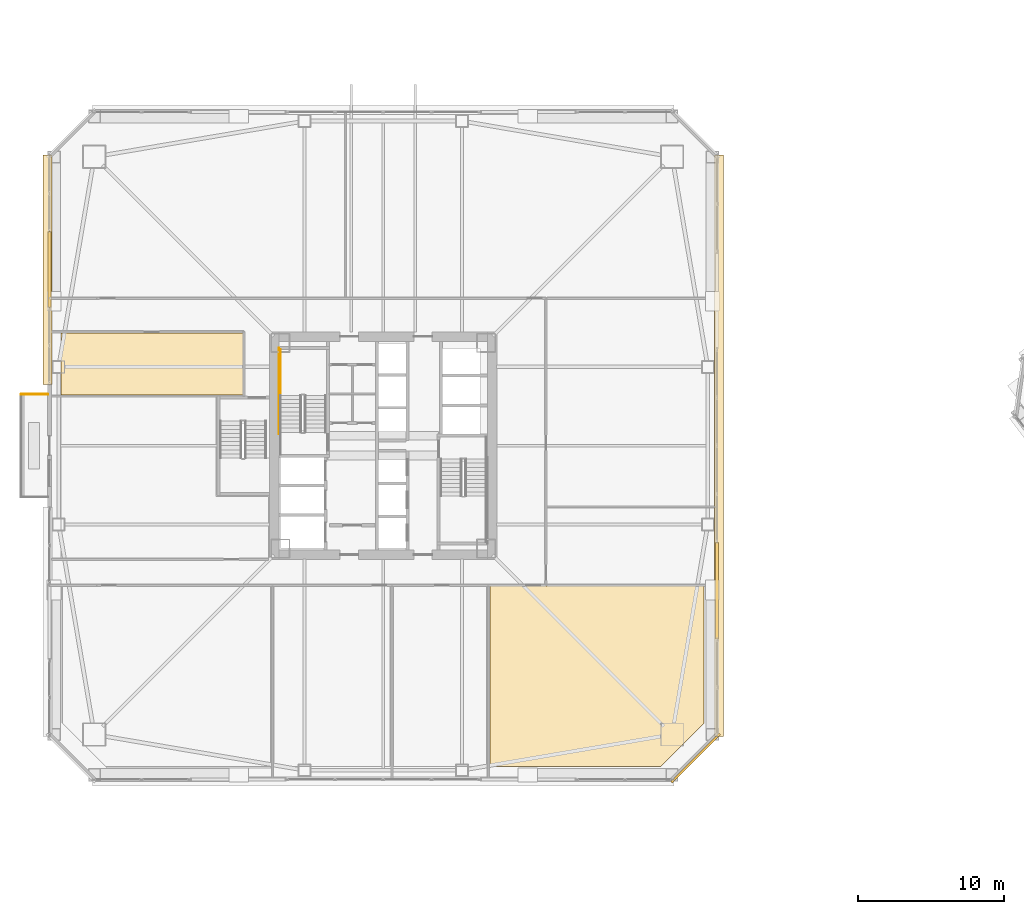
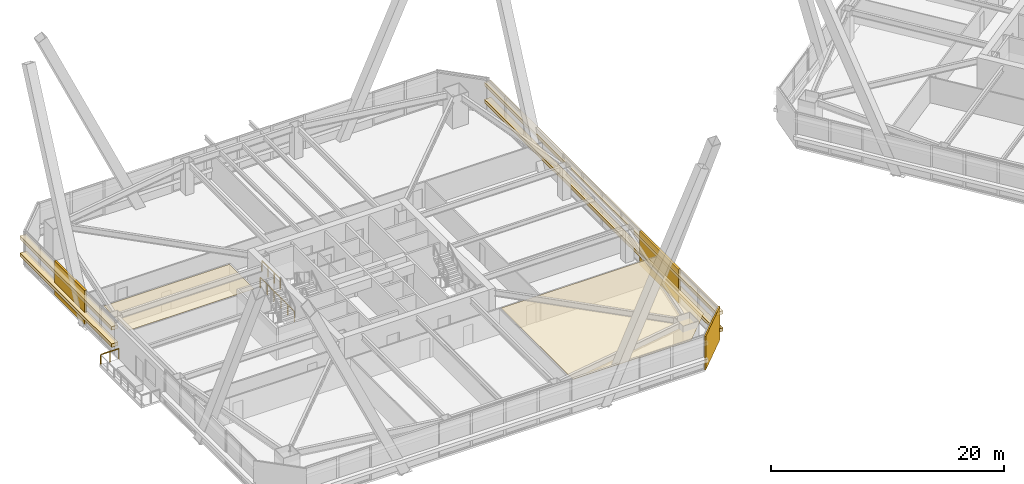
# One storey, part 69 of 75: 9 coverings, 3 railings.
"""IFC4 building model written with IfcOpenShell, lengths in metres."""

import ifcopenshell
import ifcopenshell.guid

model = None  # the IFC model being written
_history = None  # IfcOwnerHistory: only IFC2X3 demands one
_inside = {}  # id of a spatial element -> (the spatial element, [elements in it])
_under = {}  # id of a project, library or spatial element -> (it, [spatial elements below it])
_declared = {}  # id of a project -> (the project, [libraries it declares])
_typed = {}  # id of a type object -> (the type object, [elements of that type])
_made_of = {}  # id of a material, layer set ... -> (it, [elements and type objects made of it])


def new_model(schema):
    """Start an empty IFC model of exactly this schema.

    Asked for "IFC4X3", IfcOpenShell would pick the latest addendum, in which some entities
    have other attributes; the version numbers below select the first issue.
    IFC2X3 requires an IfcOwnerHistory on every rooted entity: one is made here for all.
    """
    global model, _history
    if schema == "IFC4X3":
        model = ifcopenshell.file(schema_version=(4, 3, 0, 0))
    else:
        model = ifcopenshell.file(schema=schema)
    _inside.clear()
    _under.clear()
    _declared.clear()
    _typed.clear()
    _made_of.clear()
    _history = None
    if model.schema == "IFC2X3":
        org = make("IfcOrganization", Name="unknown")
        user = make(
            "IfcPersonAndOrganization",
            ThePerson=make("IfcPerson", FamilyName="unknown"),
            TheOrganization=org,
        )
        app = make(
            "IfcApplication",
            ApplicationDeveloper=org,
            Version="unknown",
            ApplicationFullName="unknown",
            ApplicationIdentifier="unknown",
        )
        _history = make(
            "IfcOwnerHistory",
            OwningUser=user,
            OwningApplication=app,
            ChangeAction="ADDED",
            CreationDate=0,
        )
    return model


def make(cls, **values):
    """One entity of the class cls with the attributes given. An attribute that is None is left unset."""
    return model.create_entity(
        cls, **{name: value for name, value in values.items() if value is not None}
    )


def rooted(cls, **values):
    """An entity with a GlobalId (a new one), such as an element, a storey or a relation."""
    return make(cls, GlobalId=ifcopenshell.guid.new(), OwnerHistory=_history, **values)


def si_unit(unit_type, name, prefix=None):
    """IfcSIUnit, for example si_unit("LENGTHUNIT", "METRE", prefix="MILLI")."""
    return make("IfcSIUnit", UnitType=unit_type, Prefix=prefix, Name=name)


def assignment(units):
    """IfcUnitAssignment: the units of a project."""
    return None if units is None else make("IfcUnitAssignment", Units=units)


def point(xyz):
    """IfcCartesianPoint."""
    return None if xyz is None else make("IfcCartesianPoint", Coordinates=xyz)


def direction(xyz):
    """IfcDirection."""
    return None if xyz is None else make("IfcDirection", DirectionRatios=xyz)


def frame(location, z_axis=None, x_axis=None):
    """IfcAxis2Placement3D, a coordinate frame: its origin and axes. An axis left out is left unset."""
    return make(
        "IfcAxis2Placement3D",
        Location=point(location),
        Axis=direction(z_axis),
        RefDirection=direction(x_axis),
    )


def frame_2d(location, x_axis=None):
    """IfcAxis2Placement2D, a coordinate frame in the plane: its origin and x axis."""
    return make(
        "IfcAxis2Placement2D", Location=point(location), RefDirection=direction(x_axis)
    )


def origin():
    """The frame at (0, 0, 0) with its axes left unset."""
    return frame((0.0, 0.0, 0.0))


def origin_2d():
    """The frame at (0, 0) in the plane with its x axis left unset."""
    return frame_2d((0.0, 0.0))


def place(relative_to, where):
    """IfcLocalPlacement: puts the frame where relative to a parent placement (None: the world)."""
    return make(
        "IfcLocalPlacement", PlacementRelTo=relative_to, RelativePlacement=where
    )


def context(
    kind, dimensions, precision=None, world=None, true_north=None, identifier=None
):
    """IfcGeometricRepresentationContext, for example the 3D "Model" context."""
    return make(
        "IfcGeometricRepresentationContext",
        ContextIdentifier=identifier,
        ContextType=kind,
        CoordinateSpaceDimension=dimensions,
        Precision=precision,
        WorldCoordinateSystem=world,
        TrueNorth=true_north,
    )


def subcontext(parent, identifier, kind, view, scale=None):
    """IfcGeometricRepresentationSubContext, for example "Body" below "Model"."""
    return make(
        "IfcGeometricRepresentationSubContext",
        ContextIdentifier=identifier,
        ContextType=kind,
        ParentContext=parent,
        TargetScale=scale,
        TargetView=view,
    )


def project(units=None, contexts=None):
    """IfcProject with its units and contexts."""
    return rooted(
        "IfcProject",
        Name="project",
        RepresentationContexts=contexts,
        UnitsInContext=assignment(units),
    )


def spatial(cls, under=None, at=None, **own):
    """A site, building, storey or space (cls), placed at a placement, below another one or the project."""
    s = rooted(cls, ObjectPlacement=at, **own)
    if under is not None:
        _under.setdefault(under.id(), (under, []))[1].append(s)
    return s


def polyline(points):
    """IfcPolyline through the points."""
    return make("IfcPolyline", Points=[point(p) for p in points])


def profile(cls, at=None, kind="AREA", **sizes):
    """A parametric profile (cls). Its sizes go by their IFC names, for example OverallWidth=200.0."""
    return make(cls, ProfileType=kind, Position=at, **sizes)


def rectangle(**sizes):
    """IfcRectangleProfileDef."""
    return profile("IfcRectangleProfileDef", **sizes)


def outline(outer, holes=None, kind="AREA"):
    """IfcArbitraryClosedProfileDef: a profile drawn as a closed curve; with holes, ...WithVoids."""
    if holes is None:
        return make("IfcArbitraryClosedProfileDef", ProfileType=kind, OuterCurve=outer)
    return make(
        "IfcArbitraryProfileDefWithVoids",
        ProfileType=kind,
        OuterCurve=outer,
        InnerCurves=holes,
    )


def extrude(swept, where, along, depth):
    """IfcExtrudedAreaSolid: the profile swept, set in the frame where, extruded along a direction by depth."""
    return make(
        "IfcExtrudedAreaSolid",
        SweptArea=swept,
        Position=where,
        ExtrudedDirection=direction(along),
        Depth=depth,
    )


def shape(context_of_items, identifier, shape_type, items):
    """IfcShapeRepresentation: the items that make up one representation, for example the "Body"."""
    return make(
        "IfcShapeRepresentation",
        ContextOfItems=context_of_items,
        RepresentationIdentifier=identifier,
        RepresentationType=shape_type,
        Items=items,
    )


def material(Name=None, Category=None):
    """IfcMaterial."""
    return make("IfcMaterial", Name=Name, Category=Category)


def layer(
    of_material, thickness, ventilated=None, Name=None, Category=None, Priority=None
):
    """IfcMaterialLayer: one layer of a wall or slab, of a material (None: an air gap)."""
    return make(
        "IfcMaterialLayer",
        Material=of_material,
        LayerThickness=thickness,
        IsVentilated=ventilated,
        Name=Name,
        Category=Category,
        Priority=Priority,
    )


def layer_set(layers, Name=None):
    """IfcMaterialLayerSet."""
    return make("IfcMaterialLayerSet", MaterialLayers=layers, LayerSetName=Name)


def made_of(thing, what):
    """Note that an element or type object is made of a material, layer set ...; save() writes the relation."""
    if what is not None:
        _made_of.setdefault(what.id(), (what, []))[1].append(thing)
    return thing


def type_object(cls, material=None, **own):
    """A type object (cls), such as IfcWallType, which elements share."""
    return made_of(rooted(cls, **own), material)


def element(
    cls,
    number,
    at=None,
    inside=None,
    cuts=None,
    type_object=None,
    material=None,
    context=None,
    identifier="Body",
    shape_type=None,
    held_by="IfcProductDefinitionShape",
    body=None,
    shapes=None,
    **own,
):
    """One element of the class cls, such as IfcWall. Its Tag is "e" and its number.

    at: its placement. inside: the storey or other place that contains it. cuts: it is an
    opening in that element (IfcRelVoidsElement). A single representation is given by context,
    identifier, shape_type and body (its items); several are given by shapes. held_by: the class
    of the entity that holds the representations. save() writes the other relations.
    """
    e = rooted(cls, Tag="e%d" % number, ObjectPlacement=at, **own)
    if body is not None:
        shapes = [shape(context, identifier, shape_type, body)]
    if shapes is not None:
        e.Representation = make(held_by, Representations=shapes)
    if inside is not None:
        _inside.setdefault(inside.id(), (inside, []))[1].append(e)
    if cuts is not None:
        rooted(
            "IfcRelVoidsElement", RelatingBuildingElement=cuts, RelatedOpeningElement=e
        )
    if type_object is not None:
        _typed.setdefault(type_object.id(), (type_object, []))[1].append(e)
    return made_of(e, material)


def aggregate(whole, parts):
    """IfcRelAggregates: a whole, such as a stair, and the parts it consists of."""
    return rooted("IfcRelAggregates", RelatingObject=whole, RelatedObjects=parts)


def save(model, path):
    """Write the relations noted so far, then the file.

    IfcRelAggregates (storeys below a building ...), IfcRelContainedInSpatialStructure (elements
    in a storey), IfcRelDefinesByType, IfcRelAssociatesMaterial and IfcRelDeclares: one each for
    every whole, place, type object, material and project.
    """
    for whole, parts in _under.values():
        aggregate(whole, parts)
    for where, things in _inside.values():
        rooted(
            "IfcRelContainedInSpatialStructure",
            RelatedElements=things,
            RelatingStructure=where,
        )
    for kind, things in _typed.values():
        rooted("IfcRelDefinesByType", RelatedObjects=things, RelatingType=kind)
    for what, things in _made_of.values():
        rooted("IfcRelAssociatesMaterial", RelatedObjects=things, RelatingMaterial=what)
    for by, libraries in _declared.values():
        rooted("IfcRelDeclares", RelatingContext=by, RelatedDefinitions=libraries)
    model.write(path)


model = new_model("IFC4")

# Units and contexts
model_context = context("Model", 3, precision=1e-05, world=origin(), true_north=direction((0.0, 1.0)))
body_context = subcontext(model_context, "Body", "Model", "MODEL_VIEW")
ifc_project = project(units=[si_unit("LENGTHUNIT", "METRE"), si_unit("AREAUNIT", "SQUARE_METRE"), si_unit("VOLUMEUNIT", "CUBIC_METRE"), si_unit("PLANEANGLEUNIT", "RADIAN"), si_unit("MASSUNIT", "GRAM", prefix="KILO")], contexts=[model_context])

# Site, building, storey
site_placement = place(None, origin())
site = spatial("IfcSite", under=ifc_project, at=site_placement, CompositionType="ELEMENT")
building_placement = place(site_placement, origin())
building = spatial("IfcBuilding", under=site, at=building_placement, Name="Tashvorn Skyway Center", CompositionType="ELEMENT")
storey_placement = place(building_placement, frame((0.0, 0.0, 45.89990234375)))
storey = spatial("IfcBuildingStorey", under=building, at=storey_placement, Name="L11", CompositionType="ELEMENT", Elevation=45.89990234375)

# Coverings
ifc_material_1 = material(Name="Precast concrete C40/50", Category="concrete")
ifc_layer_1 = layer(ifc_material_1, 0.199951171875)
ifc_layer_set_1 = layer_set([ifc_layer_1], Name="Precast concrete C40/50")
covering_type_1 = type_object("IfcCoveringType", Name="COV-BRACE-CLAD", PredefinedType="CLADDING", material=ifc_layer_set_1)
covering_1_placement = place(storey_placement, frame((19.1201171875, 44.06494140625, 0.0), z_axis=(0.0, 0.0, 1.0), x_axis=(0.0, 1.0, 0.0)))
element("IfcCovering", 1, at=covering_1_placement, inside=storey, type_object=covering_type_1, Name="Tower 1 L11 West Curtain Wall R Mega-Brace Cladding Band 1", PredefinedType="CLADDING", context=body_context, shape_type="SweptSolid", body=[
    extrude(rectangle(XDim=5.2099609375, YDim=0.199951171875, at=origin_2d()), origin(), (0.0, 0.0, 1.0), 3.550048828125),
])
covering_2_placement = place(storey_placement, frame((64.8798828125, 22.06005859375, 0.0), z_axis=(0.0, 0.0, 1.0), x_axis=(0.0, -1.0, 0.0)))
element("IfcCovering", 2, at=covering_2_placement, inside=storey, type_object=covering_type_1, Name="Tower 1 L11 East Unitised Curtain Wall Mega-Brace Cladding Band 2", PredefinedType="CLADDING", context=body_context, shape_type="SweptSolid", body=[
    extrude(rectangle(XDim=6.626708984375, YDim=0.199951171875, at=origin_2d()), origin(), (0.0, 0.0, 1.0), 3.550048828125),
])
ifc_material_2 = material(Name="Mineral-fibre acoustic ceiling tile on suspended grid")
ifc_layer_2 = layer(ifc_material_2, 0.02001953125)
ifc_layer_set_2 = layer_set([ifc_layer_2], Name="Mineral-fibre acoustic ceiling tile on suspended grid")
covering_type_2 = type_object("IfcCoveringType", Name="COV-CEIL-20", PredefinedType="CEILING", material=ifc_layer_set_2)
covering_3_placement = place(storey_placement, frame((0.0, 0.0, 2.68310546875)))
element("IfcCovering", 3, at=covering_3_placement, inside=storey, type_object=covering_type_2, Name="Tower 1 L11 Staff Fitness Club Acoustic Ceiling", PredefinedType="CEILING", context=body_context, shape_type="SweptSolid", body=[
    extrude(outline(polyline([(49.320068359375, 10.02001953125), (49.320068359375, 22.389892578125), (63.97998046875, 22.389892578125), (63.97998046875, 12.97998046875), (61.02001953125, 10.02001953125), (49.320068359375, 10.02001953125)])), origin(), (0.0, 0.0, 1.0), 0.02001953125),
])
covering_4_placement = place(storey_placement, frame((0.0, 0.0, 2.68310546875)))
element("IfcCovering", 4, at=covering_4_placement, inside=storey, type_object=covering_type_2, Name="Tower 1 L11 Staff Fitness Club Acoustic Ceiling", PredefinedType="CEILING", context=body_context, shape_type="SweptSolid", body=[
    extrude(outline(polyline([(32.3701171875, 39.719970703125), (32.3701171875, 35.47998046875), (19.89990234375, 35.47998046875), (19.89990234375, 39.719970703125), (32.3701171875, 39.719970703125)])), origin(), (0.0, 0.0, 1.0), 0.02001953125),
])
ifc_material_3 = material(Name="Perforated ceramic-coated bronze aluminium solar screen", Category="aluminium")
ifc_layer_3 = layer(ifc_material_3, 0.85009765625)
ifc_layer_set_3 = layer_set([ifc_layer_3], Name="Perforated ceramic-coated bronze aluminium solar screen")
covering_type_3 = type_object("IfcCoveringType", Name="COV-SOLAR-BAND", PredefinedType="CLADDING", material=ifc_layer_set_3)
for number, where, z_axis, x_axis, name in (
    (5, (18.97998046875, 44.06494140625, 0.919921875), (0.0, 0.0, 1.0), (0.0, 1.0, 0.0), "L11 Perforated Ceramic-Metal Solar Screen Louvre Band West 1"),
    (6, (18.97998046875, 44.06494140625, 2.72021484375), (0.0, 0.0, 1.0), (0.0, 1.0, 0.0), "L11 Perforated Ceramic-Metal Solar Screen Louvre Band West 2"),
):
    element("IfcCovering", number, at=place(storey_placement, frame(where, z_axis=z_axis, x_axis=x_axis)), inside=storey, type_object=covering_type_3, Name=name, PredefinedType="CLADDING", context=body_context, shape_type="SweptSolid", body=[
        extrude(rectangle(XDim=15.75, YDim=0.639892578125, at=origin_2d()), origin(), (0.0, 0.0, 1.0), 0.360107421875),
    ])
for number, where, z_axis, x_axis, name in (
    (7, (65.02001953125, 32.0, 0.919921875), (0.0, 0.0, 1.0), (0.0, -1.0, 0.0), "L11 Perforated Ceramic-Metal Solar Screen Louvre Band East 1"),
    (8, (65.02001953125, 32.0, 2.72021484375), (0.0, 0.0, 1.0), (0.0, -1.0, 0.0), "L11 Perforated Ceramic-Metal Solar Screen Louvre Band East 2"),
):
    element("IfcCovering", number, at=place(storey_placement, frame(where, z_axis=z_axis, x_axis=x_axis)), inside=storey, type_object=covering_type_3, Name=name, PredefinedType="CLADDING", context=body_context, shape_type="SweptSolid", body=[
        extrude(rectangle(XDim=39.8798828125, YDim=0.639892578125, at=origin_2d()), origin(), (0.0, 0.0, 1.0), 0.360107421875),
    ])
ifc_layer_4 = layer(ifc_material_1, 0.35009765625)
ifc_layer_set_4 = layer_set([ifc_layer_4], Name="Precast concrete C40/50")
covering_type_4 = type_object("IfcCoveringType", Name="COV-STONE-TRIM", PredefinedType="CLADDING", material=ifc_layer_set_4)
covering_5_placement = place(storey_placement, frame((63.419921875, 10.580078125, 0.02001953125), z_axis=(0.0, 0.0, 1.0), x_axis=(0.707106781187, 0.707106781187, 0.0)))
element("IfcCovering", 9, at=covering_5_placement, inside=storey, type_object=covering_type_4, Name="Tower 1 L11 SE Mojave Limestone Corner Quoin", PredefinedType="CLADDING", context=body_context, shape_type="SweptSolid", body=[
    extrude(rectangle(XDim=4.685546875, YDim=0.139892578125, at=origin_2d()), origin(), (0.0, 0.0, 1.0), 3.510009765625),
])

# Railings
ifc_material_4 = material(Name="Galvanized steel S355", Category="steel")
railing_type_1 = type_object("IfcRailingType", Name="RAIL-GUARD-1120", PredefinedType="GUARDRAIL", material=ifc_material_4)
railing_1_placement = place(storey_placement, frame((17.179931640625, 35.52001953125, 0.0)))
element("IfcRailing", 10, at=railing_1_placement, inside=storey, type_object=railing_type_1, Name="L11 Tower 1 Terrace Guardrail 03", PredefinedType="GUARDRAIL", context=body_context, shape_type="SweptSolid", body=[
    extrude(rectangle(XDim=0.048095703125, YDim=0.048095703125, at=origin_2d()), frame((0.0, 0.0, 1.09619140625), z_axis=(1.0, 0.0, 0.0), x_axis=(0.0, 1.0, 0.0)), (0.0, 0.0, 1.0), 1.820068359375),
    extrude(rectangle(XDim=0.0419921875, YDim=0.0419921875, at=origin_2d()), origin(), (0.0, 0.0, 1.0), 1.072021484375),
    extrude(rectangle(XDim=0.0419921875, YDim=0.0419921875, at=origin_2d()), frame((0.91015625, 0.0, 0.0)), (0.0, 0.0, 1.0), 1.072021484375),
    extrude(rectangle(XDim=0.0419921875, YDim=0.0419921875, at=origin_2d()), frame((1.820068359375, 0.0, 0.0)), (0.0, 0.0, 1.0), 1.072021484375),
])
ifc_material_5 = material(Name="Painted galvanized steel S355", Category="steel")
railing_type_2 = type_object("IfcRailingType", Name="RAIL-STGUARD-1100", PredefinedType="GUARDRAIL", material=ifc_material_5)
railing_2_placement = place(storey_placement, frame((34.949951171875, 35.43994140625, 1.775146484375)))
element("IfcRailing", 11, at=railing_2_placement, inside=storey, type_object=railing_type_2, Name="L11 ST-T1-1 stair guard 3", PredefinedType="GUARDRAIL", context=body_context, shape_type="SweptSolid", body=[
    extrude(rectangle(XDim=0.048095703125, YDim=0.048095703125, at=origin_2d()), frame((0.0, 0.0, 1.076171875), z_axis=(0.0, 1.0, 0.0), x_axis=(-1.0, 0.0, 0.0)), (0.0, 0.0, 1.0), 3.16015625),
    extrude(rectangle(XDim=0.0419921875, YDim=0.0419921875, at=origin_2d()), origin(), (0.0, 0.0, 1.0), 1.052001953125),
    extrude(rectangle(XDim=0.0419921875, YDim=0.0419921875, at=origin_2d()), frame((0.0, 1.053466796875, 0.0)), (0.0, 0.0, 1.0), 1.052001953125),
    extrude(rectangle(XDim=0.0419921875, YDim=0.0419921875, at=origin_2d()), frame((0.0, 2.106689453125, 0.0)), (0.0, 0.0, 1.0), 1.052001953125),
    extrude(rectangle(XDim=0.0419921875, YDim=0.0419921875, at=origin_2d()), frame((0.0, 3.16015625, 0.0)), (0.0, 0.0, 1.0), 1.052001953125),
])
railing_3_placement = place(storey_placement, frame((34.85009765625, 32.820068359375, 0.0)))
element("IfcRailing", 12, at=railing_3_placement, inside=storey, type_object=railing_type_2, Name="L11 ST-T1-1 stair guard 7", PredefinedType="GUARDRAIL", context=body_context, shape_type="SweptSolid", body=[
    extrude(rectangle(XDim=0.048095703125, YDim=0.048095703125, at=origin_2d()), frame((0.0, 0.0, 1.076171875), z_axis=(0.0, 1.0, 0.0), x_axis=(-1.0, 0.0, 0.0)), (0.0, 0.0, 1.0), 5.8798828125),
    extrude(rectangle(XDim=0.0419921875, YDim=0.0419921875, at=origin_2d()), origin(), (0.0, 0.0, 1.0), 1.052001953125),
    extrude(rectangle(XDim=0.0419921875, YDim=0.0419921875, at=origin_2d()), frame((0.0, 1.176025390625, 0.0)), (0.0, 0.0, 1.0), 1.052001953125),
    extrude(rectangle(XDim=0.0419921875, YDim=0.0419921875, at=origin_2d()), frame((0.0, 2.35205078125, 0.0)), (0.0, 0.0, 1.0), 1.052001953125),
    extrude(rectangle(XDim=0.0419921875, YDim=0.0419921875, at=origin_2d()), frame((0.0, 3.52783203125, 0.0)), (0.0, 0.0, 1.0), 1.052001953125),
    extrude(rectangle(XDim=0.0419921875, YDim=0.0419921875, at=origin_2d()), frame((0.0, 4.703857421875, 0.0)), (0.0, 0.0, 1.0), 1.052001953125),
    extrude(rectangle(XDim=0.0419921875, YDim=0.0419921875, at=origin_2d()), frame((0.0, 5.8798828125, 0.0)), (0.0, 0.0, 1.0), 1.052001953125),
])

save(model, "model.ifc")
